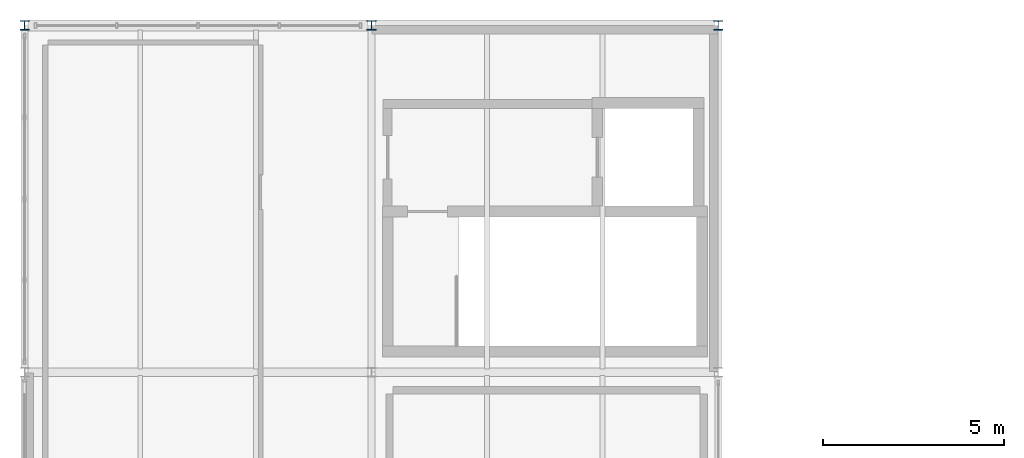
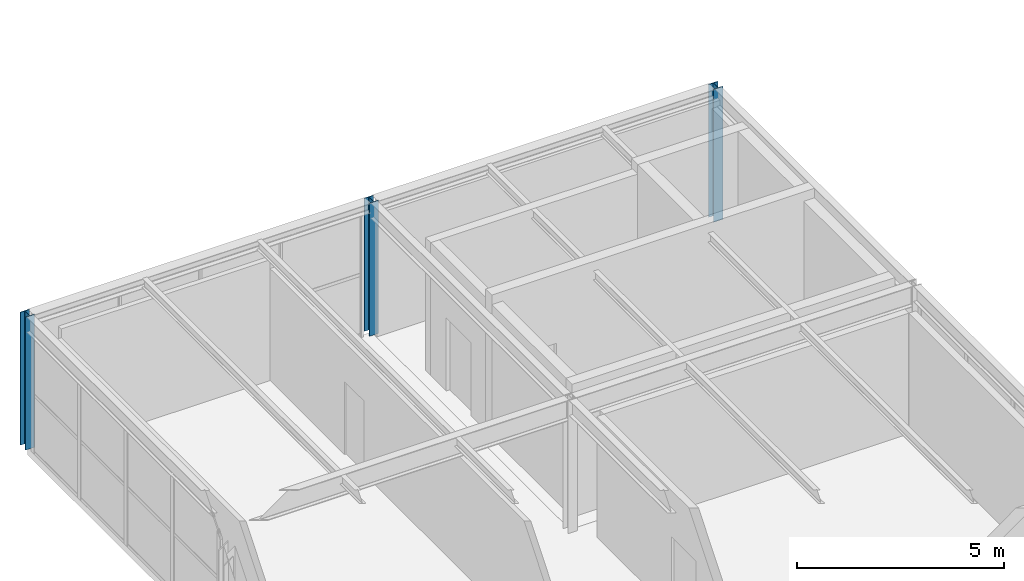
# One storey, part 4 of 33: 3 columns.
"""IFC4 building model written with IfcOpenShell, lengths in metres."""

from ifc_helpers import new_model, si_unit, direction, frame, origin, origin_2d, place, context, subcontext, project, spatial, i_section, extrude, material, material_profile, profile_set, type_object, element, save


model = new_model("IFC4")

# Units and contexts
model_context = context("Model", 3, precision=1e-05, world=origin(), true_north=direction((0.0, 1.0)))
body_context = subcontext(model_context, "Body", "Model", "MODEL_VIEW")
ifc_project = project(units=[si_unit("LENGTHUNIT", "METRE"), si_unit("AREAUNIT", "SQUARE_METRE"), si_unit("VOLUMEUNIT", "CUBIC_METRE"), si_unit("PLANEANGLEUNIT", "RADIAN"), si_unit("MASSUNIT", "GRAM", prefix="KILO")], contexts=[model_context])

# Site, building, storey
site_placement = place(None, origin())
site = spatial("IfcSite", under=ifc_project, at=site_placement, CompositionType="ELEMENT")
building_placement = place(site_placement, origin())
building = spatial("IfcBuilding", under=site, at=building_placement, Name="Coralgate Yard Interchange", CompositionType="ELEMENT")
storey_placement = place(building_placement, frame((0.0, 0.0, 23.10009765625)))
storey = spatial("IfcBuildingStorey", under=building, at=storey_placement, Name="L05", CompositionType="ELEMENT", Elevation=23.10009765625)

# Columns
ifc_material = material(Name="Structural steel S355J2", Category="steel")
ifc_material_profile = material_profile(ifc_material, i_section(OverallWidth=0.25634765625, OverallDepth=0.26025390625, WebThickness=0.01025390625, FlangeThickness=0.017333984375, FilletRadius=0.0126953125, at=origin_2d()), Name="UC 254x254x89")
ifc_profile_set = profile_set([ifc_material_profile], Name="Structural steel S355J2")
column_type = type_object("IfcColumnType", Name="COL-SC-8", PredefinedType="COLUMN", material=ifc_profile_set)
for number, where, z_axis, x_axis, name in (
    (1, (0.0, 38.39990234375, 0.0), (0.0, 0.0, 1.0), (1.0, 0.0, 0.0), "L05 structural column 0-4"),
    (2, (9.60009765625, 38.39990234375, 0.0), (0.0, 0.0, 1.0), (1.0, 0.0, 0.0), "L05 structural column 1-4"),
    (3, (19.199951171875, 38.39990234375, 0.0), (0.0, 0.0, 1.0), (1.0, 0.0, 0.0), "L05 structural column 2-4"),
):
    element("IfcColumn", number, at=place(storey_placement, frame(where, z_axis=z_axis, x_axis=x_axis)), inside=storey, type_object=column_type, Name=name, PredefinedType="COLUMN", context=body_context, shape_type="SweptSolid", body=[
        extrude(i_section(OverallWidth=0.25634765625, OverallDepth=0.26025390625, WebThickness=0.01025390625, FlangeThickness=0.017333984375, FilletRadius=0.0126953125, at=origin_2d()), origin(), (0.0, 0.0, 1.0), 3.919921875),
    ])

save(model, "model.ifc")
